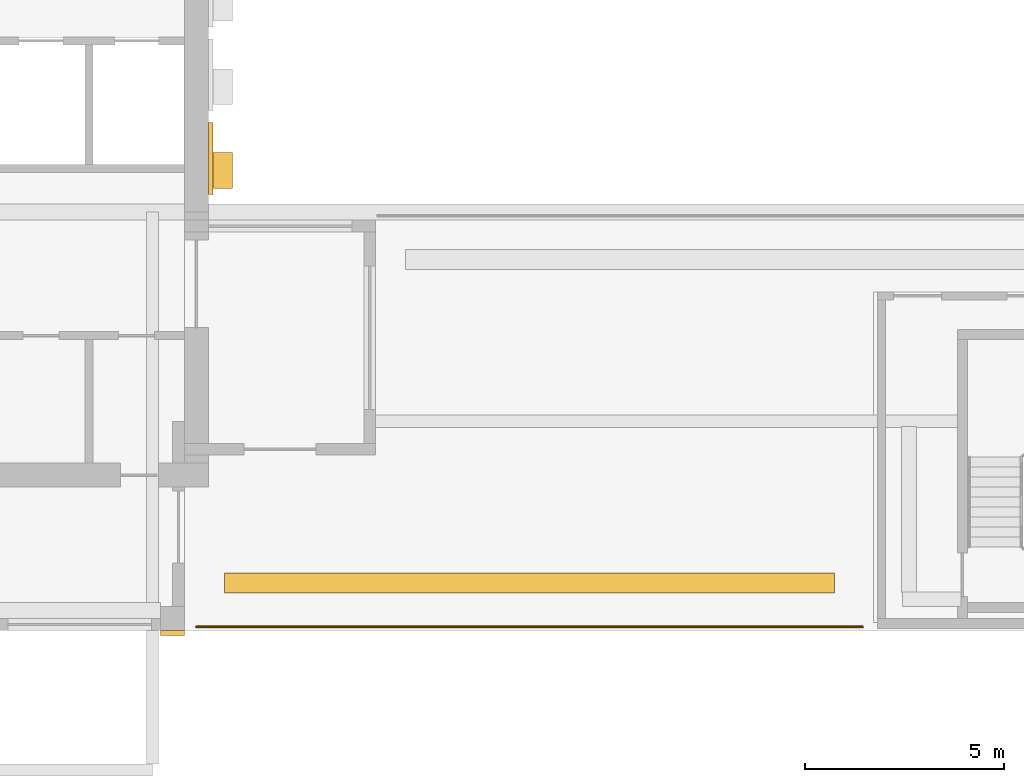
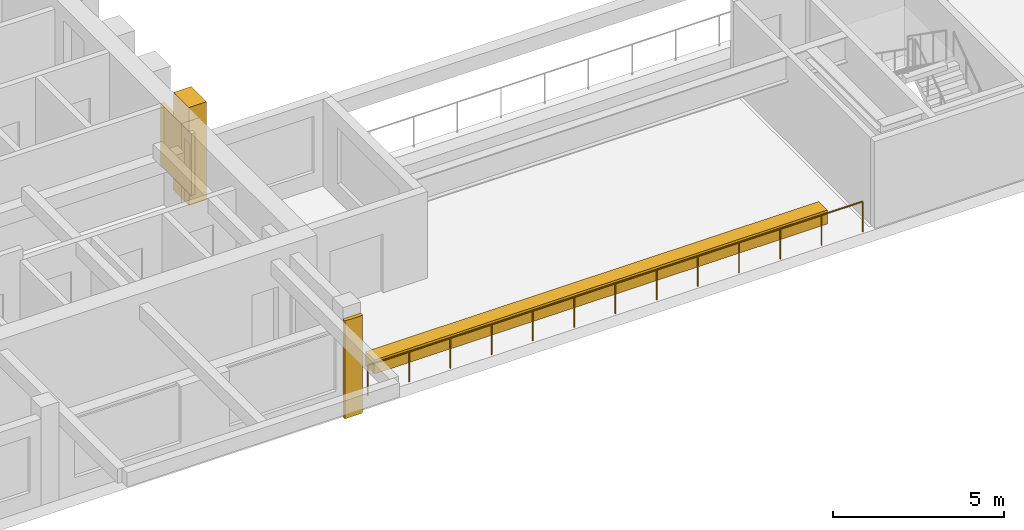
# One storey, part 6 of 9: 4 coverings, 1 railing.
"""IFC4 building model written with IfcOpenShell, lengths in metres."""

from ifc_helpers import new_model, si_unit, direction, frame, origin, origin_2d, place, context, subcontext, project, spatial, rectangle, circle, extrude, source, transform, mapped, material, type_object, element, save


model = new_model("IFC4")

# Units and contexts
model_context = context("Model", 3, precision=1e-05, world=origin(), true_north=direction((0.0, 1.0)))
body_context = subcontext(model_context, "Body", "Model", "MODEL_VIEW")
ifc_project = project(units=[si_unit("LENGTHUNIT", "METRE"), si_unit("AREAUNIT", "SQUARE_METRE"), si_unit("VOLUMEUNIT", "CUBIC_METRE"), si_unit("PLANEANGLEUNIT", "RADIAN"), si_unit("MASSUNIT", "GRAM", prefix="KILO")], contexts=[model_context])

# Site, building, storey
site_placement = place(None, origin())
site = spatial("IfcSite", under=ifc_project, at=site_placement, CompositionType="ELEMENT")
building_placement = place(site_placement, origin())
building = spatial("IfcBuilding", under=site, at=building_placement, Name="Aurelian Terraces", CompositionType="ELEMENT")
storey_placement = place(building_placement, frame((0.0, 0.0, 330.0)))
storey = spatial("IfcBuildingStorey", under=building, at=storey_placement, Name="L77", CompositionType="ELEMENT", Elevation=330.0)

# Railing
ifc_material_1 = material(Name="Anodised aluminium", Category="aluminium")
railing_type = type_object("IfcRailingType", Name="GUARD-1100", PredefinedType="GUARDRAIL", material=ifc_material_1)
railing_placement = place(storey_placement, frame((38.0211, 0.09, 0.0)))
element("IfcRailing", 1, at=railing_placement, inside=storey, type_object=railing_type, Name="Terrace guard L77 PORTAL-T1.1", PredefinedType="GUARDRAIL", context=body_context, shape_type="SweptSolid", body=[
    extrude(circle(Radius=0.024, at=origin_2d()), frame((0.0, 0.0, 1.076), z_axis=(-1.0, 0.0, 0.0), x_axis=(0.0, -1.0, 0.0)), (0.0, 0.0, 1.0), 16.7211),
    extrude(circle(Radius=0.021, at=origin_2d()), origin(), (0.0, 0.0, 1.0), 1.052),
    extrude(circle(Radius=0.021, at=origin_2d()), frame((-1.3934, 0.0, 0.0)), (0.0, 0.0, 1.0), 1.052),
    extrude(circle(Radius=0.021, at=origin_2d()), frame((-2.7868, 0.0, 0.0)), (0.0, 0.0, 1.0), 1.052),
    extrude(circle(Radius=0.021, at=origin_2d()), frame((-4.1803, 0.0, 0.0)), (0.0, 0.0, 1.0), 1.052),
    extrude(circle(Radius=0.021, at=origin_2d()), frame((-5.5737, 0.0, 0.0)), (0.0, 0.0, 1.0), 1.052),
    extrude(circle(Radius=0.021, at=origin_2d()), frame((-6.9671, 0.0, 0.0)), (0.0, 0.0, 1.0), 1.052),
    extrude(circle(Radius=0.021, at=origin_2d()), frame((-8.3605, 0.0, 0.0)), (0.0, 0.0, 1.0), 1.052),
    extrude(circle(Radius=0.021, at=origin_2d()), frame((-9.754, 0.0, 0.0)), (0.0, 0.0, 1.0), 1.052),
    extrude(circle(Radius=0.021, at=origin_2d()), frame((-11.1474, 0.0, 0.0)), (0.0, 0.0, 1.0), 1.052),
    extrude(circle(Radius=0.021, at=origin_2d()), frame((-12.5408, 0.0, 0.0)), (0.0, 0.0, 1.0), 1.052),
    extrude(circle(Radius=0.021, at=origin_2d()), frame((-13.9342, 0.0, 0.0)), (0.0, 0.0, 1.0), 1.052),
    extrude(circle(Radius=0.021, at=origin_2d()), frame((-15.3277, 0.0, 0.0)), (0.0, 0.0, 1.0), 1.052),
    extrude(circle(Radius=0.021, at=origin_2d()), frame((-16.7211, 0.0, 0.0)), (0.0, 0.0, 1.0), 1.052),
])

# Coverings
ifc_material_2 = material(Name="Terracotta planter with planting soil", Category="masonry")
covering_type_1 = type_object("IfcCoveringType", Name="PLANTER-TROUGH", PredefinedType="USERDEFINED", material=ifc_material_2)
covering_1_placement = place(storey_placement, frame((29.6606, 1.19, 0.0), z_axis=(0.0, 0.0, 1.0), x_axis=(1.0, 0.0, 0.0)))
element("IfcCovering", 2, at=covering_1_placement, inside=storey, type_object=covering_type_1, Name="PLANTER L77 terrace PORTAL-T1-0.1", ObjectType="PLANTER", PredefinedType="USERDEFINED", context=body_context, shape_type="SweptSolid", body=[
    extrude(rectangle(XDim=15.3211, YDim=0.5, at=origin_2d()), origin(), (0.0, 0.0, 1.0), 0.5),
])
ifc_material_3 = material(Name="Terracotta rainscreen cladding louvre blades", Category="masonry")
covering_type_2 = type_object("IfcCoveringType", Name="LOUVRE-TC", PredefinedType="CLADDING", material=ifc_material_3)
shared_shape_1 = source(origin(), body_context, "Body", "SweptSolid", [
    extrude(rectangle(XDim=0.12, YDim=1.8, at=origin_2d()), origin(), (0.0, 0.0, 1.0), 2.2),
])
covering_2_placement = place(storey_placement, frame((21.66, 11.85, 0.45), z_axis=(0.0, 0.0, 1.0), x_axis=(1.0, 0.0, 0.0)))
element("IfcCovering", 3, at=covering_2_placement, inside=storey, type_object=covering_type_2, Name="LOUVRE L77 core face E.1", PredefinedType="CLADDING", context=body_context, shape_type="MappedRepresentation", body=[
    mapped(shared_shape_1, transform((0.0, 0.0, 0.0), scale=1.0)),
])
ifc_material_4 = material(Name="Terracotta rainscreen cladding relief", Category="masonry")
covering_type_3 = type_object("IfcCoveringType", Name="BAGUETTE-TC", PredefinedType="CLADDING", material=ifc_material_4)
shared_shape_2 = source(origin(), body_context, "Body", "SweptSolid", [
    extrude(rectangle(XDim=0.6, YDim=0.12, at=origin_2d()), origin(), (0.0, 0.0, 1.0), 3.5),
])
covering_3_placement = place(storey_placement, frame((20.7, -0.06, -0.4), z_axis=(0.0, 0.0, 1.0), x_axis=(1.0, 0.0, 0.0)))
element("IfcCovering", 4, at=covering_3_placement, inside=storey, type_object=covering_type_3, Name="BAGUETTE pier L77 1", PredefinedType="CLADDING", context=body_context, shape_type="MappedRepresentation", body=[
    mapped(shared_shape_2, transform((0.0, 0.0, 0.0), scale=1.0)),
])
covering_type_4 = type_object("IfcCoveringType", Name="Core spine pier 900x600", PredefinedType="CLADDING", material=ifc_material_4)
shared_shape_3 = source(origin(), body_context, "Body", "SweptSolid", [
    extrude(rectangle(XDim=0.6, YDim=0.9, at=origin_2d()), origin(), (0.0, 0.0, 1.0), 3.5),
])
covering_4_placement = place(storey_placement, frame((21.9, 11.55, 0.0), z_axis=(0.0, 0.0, 1.0), x_axis=(1.0, 0.0, 0.0)))
element("IfcCovering", 5, at=covering_4_placement, inside=storey, type_object=covering_type_4, Name="Spine pier L77 E1", PredefinedType="CLADDING", context=body_context, shape_type="MappedRepresentation", body=[
    mapped(shared_shape_3, transform((0.0, 0.0, 0.0), scale=1.0)),
])

save(model, "model.ifc")
